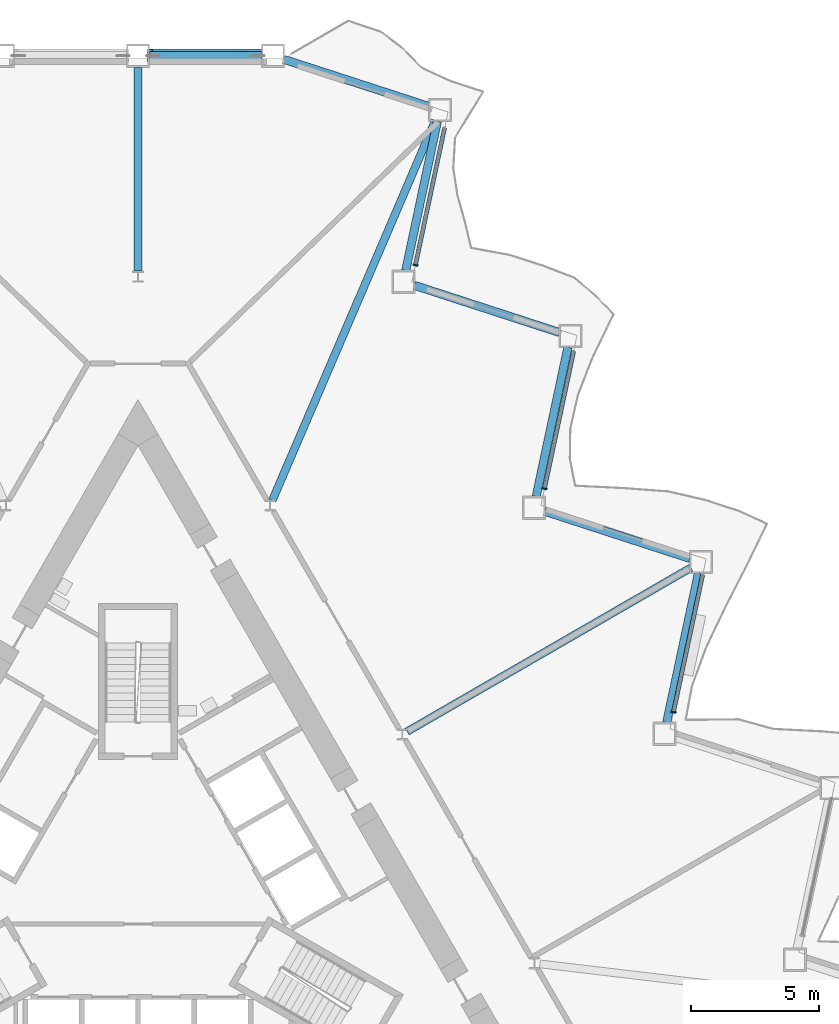
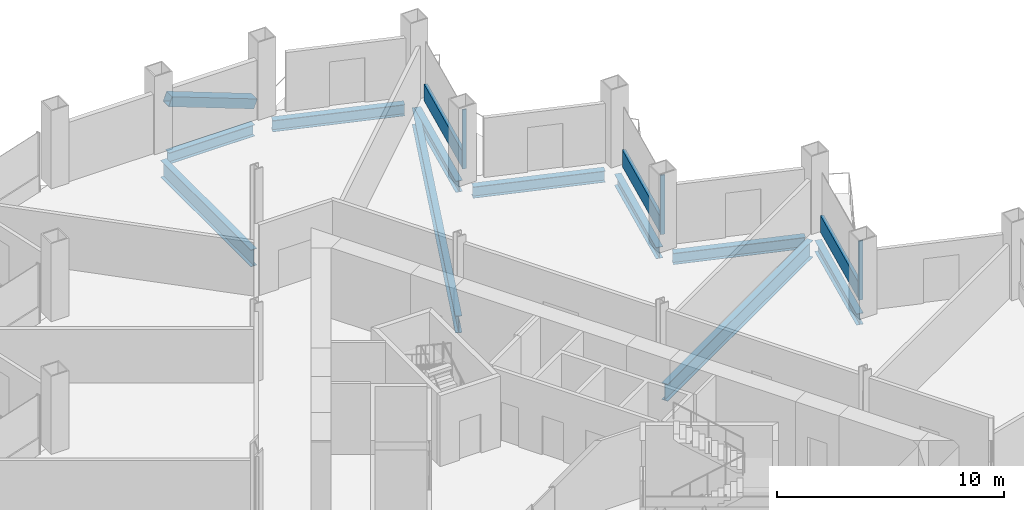
# One storey, part 8 of 21: 10 beams, 7 members, 3 elements without a shape of their own.
"""IFC4 building model written with IfcOpenShell, lengths in metres."""

from ifc_helpers import new_model, si_unit, direction, frame, origin, origin_2d, place, context, subcontext, project, spatial, rectangle, hollow_rectangle, i_section, extrude, material, layer, layer_set, material_profile, profile_set, type_object, element, aggregate, save


model = new_model("IFC4")

# Units and contexts
model_context = context("Model", 3, precision=1e-05, world=origin(), true_north=direction((0.0, 1.0)))
body_context = subcontext(model_context, "Body", "Model", "MODEL_VIEW")
ifc_project = project(units=[si_unit("LENGTHUNIT", "METRE"), si_unit("AREAUNIT", "SQUARE_METRE"), si_unit("VOLUMEUNIT", "CUBIC_METRE"), si_unit("PLANEANGLEUNIT", "RADIAN"), si_unit("MASSUNIT", "GRAM", prefix="KILO")], contexts=[model_context])

# Site, building, storey
site_placement = place(None, origin())
site = spatial("IfcSite", under=ifc_project, at=site_placement, CompositionType="ELEMENT")
building_placement = place(site_placement, origin())
building = spatial("IfcBuilding", under=site, at=building_placement, Name="Cormorant Prow Tower", CompositionType="ELEMENT")
storey_placement = place(building_placement, frame((0.0, 0.0, 124.800048828125)))
storey = spatial("IfcBuildingStorey", under=building, at=storey_placement, Name="L26", CompositionType="ELEMENT", Elevation=124.800048828125)

# Member
ifc_material_1 = material(Name="Structural steel ASTM A500 Gr C", Category="steel")
ifc_material_profile_1 = material_profile(ifc_material_1, hollow_rectangle(XDim=0.508056640625, YDim=0.508056640625, WallThickness=0.014892578125, at=origin_2d()), Name="HSS20x20x5/8")
ifc_profile_set_1 = profile_set([ifc_material_profile_1], Name="Structural steel ASTM A500 Gr C")
member_type_1 = type_object("IfcMemberType", Name="Chamfer brace HSS20x20x5/8", PredefinedType="BRACE", material=ifc_profile_set_1)
member_1_placement = place(storey_placement, frame((4.8017578125, 32.487060546875, 0.776611328125), z_axis=(-0.935582009332, 0.0, 0.353109478511), x_axis=(0.0, -1.0, 0.0)))
element("IfcMember", 1, at=member_1_placement, inside=storey, type_object=member_type_1, Name="Chamfer brace BR1 at N00 L26", PredefinedType="BRACE", context=body_context, shape_type="SweptSolid", body=[
    extrude(hollow_rectangle(XDim=0.508056640625, YDim=0.508056640625, WallThickness=0.014892578125, at=origin_2d()), origin(), (0.0, 0.0, 1.0), 4.63232421875),
])

# Curtain wall, member
ifc_material_2 = material(Name="Aluminium 6063-T6", Category="aluminium")
ifc_layer = layer(ifc_material_2, 0.199951171875)
ifc_layer_set = layer_set([ifc_layer], Name="Aluminium 6063-T6")
curtain_wall_type = type_object("IfcCurtainWallType", Name="Office unitised curtain wall 200", PredefinedType="NOTDEFINED", material=ifc_layer_set)
curtain_wall_1_placement = place(storey_placement, origin())
curtain_wall_1 = element("IfcCurtainWall", 2, at=curtain_wall_1_placement, inside=storey, type_object=curtain_wall_type, Name="Office curtain wall ENE04", PredefinedType="NOTDEFINED")
ifc_material_3 = material(Name="Aluminium 6063-T6", Category="aluminium")
ifc_material_profile_2 = material_profile(ifc_material_3, rectangle(XDim=0.199951171875, YDim=0.06005859375, at=origin_2d()), Name="Office mullion 60x200")
ifc_profile_set_2 = profile_set([ifc_material_profile_2], Name="Aluminium 6063-T6")
member_type_2 = type_object("IfcMemberType", Name="Office mullion 60x200", PredefinedType="MULLION", material=ifc_profile_set_2)
member_2_placement = place(storey_placement, frame((20.9296875, 6.831787109375, 0.0), z_axis=(0.0, 0.0, 1.0), x_axis=(-0.978147605839, 0.207911666798, 0.0)))
member_2 = element("IfcMember", 3, at=member_2_placement, type_object=member_type_2, Name="Office mullion ENE04", PredefinedType="MULLION", context=body_context, shape_type="SweptSolid", body=[
    extrude(rectangle(XDim=0.199951171875, YDim=0.06005859375, at=origin_2d()), origin(), (0.0, 0.0, 1.0), 3.18896484375),
])

curtain_wall_2_placement = place(storey_placement, origin())
curtain_wall_2 = element("IfcCurtainWall", 4, at=curtain_wall_2_placement, inside=storey, type_object=curtain_wall_type, Name="Office curtain wall ENE06", PredefinedType="NOTDEFINED")
member_3_placement = place(storey_placement, frame((15.886474609375, 15.567138671875, 0.0), z_axis=(0.0, 0.0, 1.0), x_axis=(-0.978147612208, 0.207911636836, 0.0)))
member_3 = element("IfcMember", 5, at=member_3_placement, type_object=member_type_2, Name="Office mullion ENE06", PredefinedType="MULLION", context=body_context, shape_type="SweptSolid", body=[
    extrude(rectangle(XDim=0.199951171875, YDim=0.06005859375, at=origin_2d()), origin(), (0.0, 0.0, 1.0), 3.18896484375),
])

curtain_wall_3_placement = place(storey_placement, origin())
curtain_wall_3 = element("IfcCurtainWall", 6, at=curtain_wall_3_placement, inside=storey, type_object=curtain_wall_type, Name="Office curtain wall ENE08", PredefinedType="NOTDEFINED")
member_4_placement = place(storey_placement, frame((10.843017578125, 24.302490234375, 0.0), z_axis=(0.0, 0.0, 1.0), x_axis=(-0.978147612208, 0.207911636836, 0.0)))
member_4 = element("IfcMember", 7, at=member_4_placement, type_object=member_type_2, Name="Office mullion ENE08", PredefinedType="MULLION", context=body_context, shape_type="SweptSolid", body=[
    extrude(rectangle(XDim=0.199951171875, YDim=0.06005859375, at=origin_2d()), origin(), (0.0, 0.0, 1.0), 3.18896484375),
])

# Member
ifc_material_4 = material(Name="Terracotta", Category="masonry")
ifc_material_profile_3 = material_profile(ifc_material_4, rectangle(XDim=0.159912109375, YDim=0.89990234375, at=origin_2d()), Name="Office terracotta spandrel rail 160x900")
ifc_profile_set_3 = profile_set([ifc_material_profile_3], Name="Terracotta")
member_type_3 = type_object("IfcMemberType", Name="Office terracotta spandrel rail 160x900", PredefinedType="USERDEFINED", material=ifc_profile_set_3)
member_5_placement = place(storey_placement, frame((20.93603515625, 6.861083984375, 0.449951171875), z_axis=(0.207902650803, 0.978149522205, 0.0), x_axis=(-0.978149522205, 0.207902650803, 0.0)))
member_5 = element("IfcMember", 8, at=member_5_placement, type_object=member_type_3, Name="Office spandrel rail ENE04", ObjectType="TRANSOM", PredefinedType="USERDEFINED", context=body_context, shape_type="SweptSolid", body=[
    extrude(rectangle(XDim=0.159912109375, YDim=0.89990234375, at=origin_2d()), origin(), (0.0, 0.0, 1.0), 5.45458984375),
])

aggregate(curtain_wall_1, [member_2, member_5])

member_6_placement = place(storey_placement, frame((15.892578125, 15.596435546875, 0.449951171875), z_axis=(0.207902650803, 0.978149522205, 0.0), x_axis=(-0.978149522205, 0.207902650803, 0.0)))
member_6 = element("IfcMember", 9, at=member_6_placement, type_object=member_type_3, Name="Office spandrel rail ENE06", ObjectType="TRANSOM", PredefinedType="USERDEFINED", context=body_context, shape_type="SweptSolid", body=[
    extrude(rectangle(XDim=0.159912109375, YDim=0.89990234375, at=origin_2d()), origin(), (0.0, 0.0, 1.0), 5.45458984375),
])

aggregate(curtain_wall_2, [member_3, member_6])

member_7_placement = place(storey_placement, frame((10.84912109375, 24.331787109375, 0.449951171875), z_axis=(0.207945473965, 0.978140419294, 0.0), x_axis=(-0.978140419294, 0.207945473965, 0.0)))
member_7 = element("IfcMember", 10, at=member_7_placement, type_object=member_type_3, Name="Office spandrel rail ENE08", ObjectType="TRANSOM", PredefinedType="USERDEFINED", context=body_context, shape_type="SweptSolid", body=[
    extrude(rectangle(XDim=0.159912109375, YDim=0.89990234375, at=origin_2d()), origin(), (0.0, 0.0, 1.0), 5.45458984375),
])

aggregate(curtain_wall_3, [member_4, member_7])

# Beams
ifc_material_5 = material(Name="Structural steel ASTM A992 Gr 50", Category="steel")
ifc_material_profile_4 = material_profile(ifc_material_5, i_section(OverallWidth=0.3046875, OverallDepth=0.914794921875, WebThickness=0.0166015625, FlangeThickness=0.02587890625, at=origin_2d()), Name="W36x160")
ifc_profile_set_4 = profile_set([ifc_material_profile_4], Name="Structural steel ASTM A992 Gr 50")
beam_type_1 = type_object("IfcBeamType", Name="Radial floor beam W36x160", PredefinedType="BEAM", material=ifc_profile_set_4)
beam_1_placement = place(storey_placement, frame((0.0, 24.070068359375, -0.857421875), z_axis=(0.0, 1.0, 0.0), x_axis=(-1.0, 0.0, 0.0)))
element("IfcBeam", 11, at=beam_1_placement, inside=storey, type_object=beam_type_1, Name="Radial floor beam FB1 1 L26", PredefinedType="BEAM", context=body_context, shape_type="SweptSolid", body=[
    extrude(i_section(OverallWidth=0.3046875, OverallDepth=0.914794921875, WebThickness=0.0166015625, FlangeThickness=0.02587890625, at=origin_2d()), origin(), (0.0, 0.0, 1.0), 7.966796875),
])
beam_2_placement = place(storey_placement, frame((10.516845703125, 6.07177734375, -0.857421875), z_axis=(0.866021760006, 0.500006311156, 0.0), x_axis=(-0.500006311156, 0.866021760006, 0.0)))
element("IfcBeam", 12, at=beam_2_placement, inside=storey, type_object=beam_type_1, Name="Radial floor beam FB1 11 L26", PredefinedType="BEAM", context=body_context, shape_type="SweptSolid", body=[
    extrude(i_section(OverallWidth=0.3046875, OverallDepth=0.914794921875, WebThickness=0.0166015625, FlangeThickness=0.02587890625, at=origin_2d()), origin(), (0.0, 0.0, 1.0), 12.805419921875),
])
beam_3_placement = place(storey_placement, frame((5.25, 15.107666015625, -0.857421875), z_axis=(0.394273140268, 0.918993302948, 0.0), x_axis=(-0.918993302948, 0.394273140268, 0.0)))
element("IfcBeam", 13, at=beam_3_placement, inside=storey, type_object=beam_type_1, Name="Radial floor beam FB1 12 L26", PredefinedType="BEAM", context=body_context, shape_type="SweptSolid", body=[
    extrude(i_section(OverallWidth=0.3046875, OverallDepth=0.914794921875, WebThickness=0.0166015625, FlangeThickness=0.02587890625, at=origin_2d()), origin(), (0.0, 0.0, 1.0), 16.153564453125),
])
ifc_material_6 = material(Name="Structural steel ASTM A992 Gr 50", Category="steel")
ifc_material_profile_5 = material_profile(ifc_material_6, i_section(OverallWidth=0.32373046875, OverallDepth=0.611083984375, WebThickness=0.0126953125, FlangeThickness=0.01904296875, at=origin_2d()), Name="W24x104")
ifc_profile_set_5 = profile_set([ifc_material_profile_5], Name="Structural steel ASTM A992 Gr 50")
beam_type_2 = type_object("IfcBeamType", Name="Spandrel beam W24x104", PredefinedType="SPANDREL", material=ifc_profile_set_5)
beam_4_placement = place(storey_placement, frame((20.6630859375, 6.427001953125, -0.70556640625), z_axis=(0.207912620873, 0.978147403044, 0.0), x_axis=(-0.978147403044, 0.207912620873, 0.0)))
element("IfcBeam", 14, at=beam_4_placement, inside=storey, type_object=beam_type_2, Name="Spandrel beam SB1 ENE04-ENE05 L26", PredefinedType="SPANDREL", context=body_context, shape_type="SweptSolid", body=[
    extrude(i_section(OverallWidth=0.32373046875, OverallDepth=0.611083984375, WebThickness=0.0126953125, FlangeThickness=0.01904296875, at=origin_2d()), origin(), (0.0, 0.0, 1.0), 5.962890625),
])
for number, where, z_axis, x_axis, name in (
    (15, (21.568359375, 12.838623046875, -0.70556640625), (-0.951059340519, 0.309008302174, 0.0), (-0.309008302174, -0.951059340519, 0.0), "Spandrel beam SB1 ENE05-ENE06 L26"),
    (16, (15.56298828125, 15.260498046875, -0.70556640625), (0.207920947907, 0.978145633033, 0.0), (-0.978145633033, 0.207920947907, 0.0), "Spandrel beam SB1 ENE06-ENE07 L26"),
):
    element("IfcBeam", number, at=place(storey_placement, frame(where, z_axis=z_axis, x_axis=x_axis)), inside=storey, type_object=beam_type_2, Name=name, PredefinedType="SPANDREL", context=body_context, shape_type="SweptSolid", body=[
        extrude(i_section(OverallWidth=0.32373046875, OverallDepth=0.611083984375, WebThickness=0.0126953125, FlangeThickness=0.01904296875, at=origin_2d()), origin(), (0.0, 0.0, 1.0), 5.962646484375),
    ])
beam_5_placement = place(storey_placement, frame((16.468505859375, 21.671875, -0.70556640625), z_axis=(-0.95104730696, 0.309045336358, 0.0), x_axis=(-0.309045336358, -0.95104730696, 0.0)))
element("IfcBeam", 17, at=beam_5_placement, inside=storey, type_object=beam_type_2, Name="Spandrel beam SB1 ENE07-ENE08 L26", PredefinedType="SPANDREL", context=body_context, shape_type="SweptSolid", body=[
    extrude(i_section(OverallWidth=0.32373046875, OverallDepth=0.611083984375, WebThickness=0.0126953125, FlangeThickness=0.01904296875, at=origin_2d()), origin(), (0.0, 0.0, 1.0), 5.962890625),
])
beam_6_placement = place(storey_placement, frame((10.463134765625, 24.09375, -0.70556640625), z_axis=(0.207920947907, 0.978145633033, 0.0), x_axis=(-0.978145633033, 0.207920947907, 0.0)))
element("IfcBeam", 18, at=beam_6_placement, inside=storey, type_object=beam_type_2, Name="Spandrel beam SB1 ENE08-ENE09 L26", PredefinedType="SPANDREL", context=body_context, shape_type="SweptSolid", body=[
    extrude(i_section(OverallWidth=0.32373046875, OverallDepth=0.611083984375, WebThickness=0.0126953125, FlangeThickness=0.01904296875, at=origin_2d()), origin(), (0.0, 0.0, 1.0), 5.962646484375),
])
beam_7_placement = place(storey_placement, frame((11.368408203125, 30.50537109375, -0.70556640625), z_axis=(-0.951055430656, 0.309020335608, 0.0), x_axis=(-0.309020335608, -0.951055430656, 0.0)))
element("IfcBeam", 19, at=beam_7_placement, inside=storey, type_object=beam_type_2, Name="Spandrel beam SB1 ENE09-N00 L26", PredefinedType="SPANDREL", context=body_context, shape_type="SweptSolid", body=[
    extrude(i_section(OverallWidth=0.32373046875, OverallDepth=0.611083984375, WebThickness=0.0126953125, FlangeThickness=0.01904296875, at=origin_2d()), origin(), (0.0, 0.0, 1.0), 5.96240234375),
])
beam_8_placement = place(storey_placement, frame((4.819580078125, 32.487060546875, -0.70556640625), z_axis=(-1.0, 0.0, 0.0), x_axis=(0.0, -1.0, 0.0)))
element("IfcBeam", 20, at=beam_8_placement, inside=storey, type_object=beam_type_2, Name="Spandrel beam SB1 N00-N01 L26", PredefinedType="SPANDREL", context=body_context, shape_type="SweptSolid", body=[
    extrude(i_section(OverallWidth=0.32373046875, OverallDepth=0.611083984375, WebThickness=0.0126953125, FlangeThickness=0.01904296875, at=origin_2d()), origin(), (0.0, 0.0, 1.0), 4.36962890625),
])

save(model, "model.ifc")
